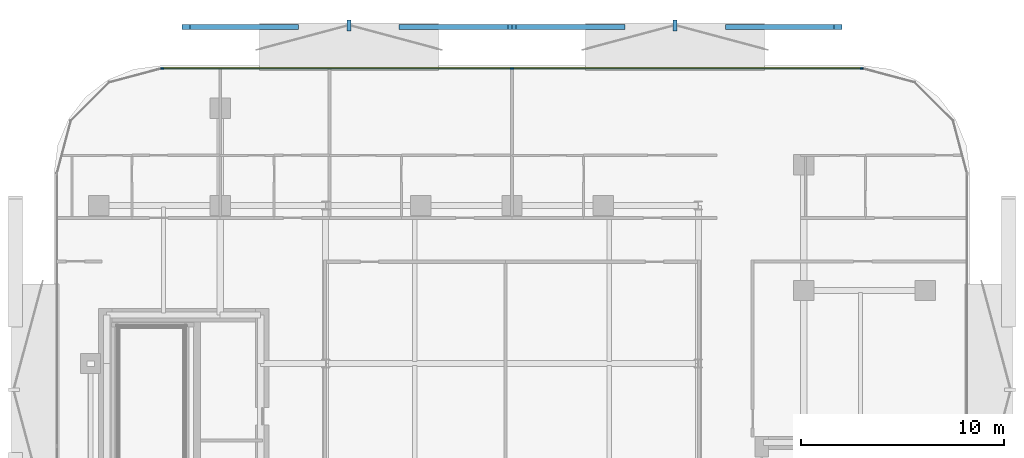
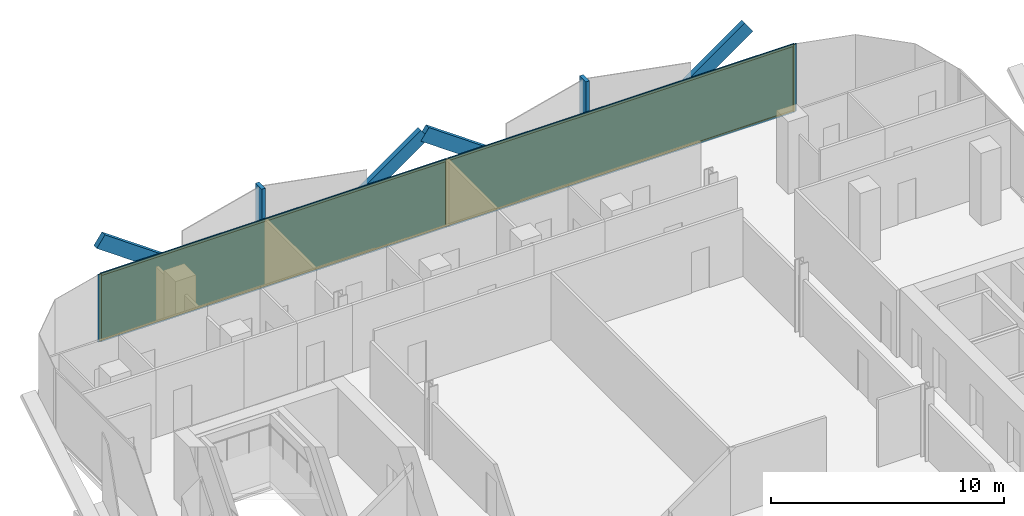
# One storey, part 12 of 17: 13 members, 2 plates, 1 curtain wall.
"""IFC4 building model written with IfcOpenShell, lengths in metres."""

import ifcopenshell
import ifcopenshell.guid

model = None  # the IFC model being written
_history = None  # IfcOwnerHistory: only IFC2X3 demands one
_inside = {}  # id of a spatial element -> (the spatial element, [elements in it])
_under = {}  # id of a project, library or spatial element -> (it, [spatial elements below it])
_declared = {}  # id of a project -> (the project, [libraries it declares])
_typed = {}  # id of a type object -> (the type object, [elements of that type])
_made_of = {}  # id of a material, layer set ... -> (it, [elements and type objects made of it])


def new_model(schema):
    """Start an empty IFC model of exactly this schema.

    Asked for "IFC4X3", IfcOpenShell would pick the latest addendum, in which some entities
    have other attributes; the version numbers below select the first issue.
    IFC2X3 requires an IfcOwnerHistory on every rooted entity: one is made here for all.
    """
    global model, _history
    if schema == "IFC4X3":
        model = ifcopenshell.file(schema_version=(4, 3, 0, 0))
    else:
        model = ifcopenshell.file(schema=schema)
    _inside.clear()
    _under.clear()
    _declared.clear()
    _typed.clear()
    _made_of.clear()
    _history = None
    if model.schema == "IFC2X3":
        org = make("IfcOrganization", Name="unknown")
        user = make(
            "IfcPersonAndOrganization",
            ThePerson=make("IfcPerson", FamilyName="unknown"),
            TheOrganization=org,
        )
        app = make(
            "IfcApplication",
            ApplicationDeveloper=org,
            Version="unknown",
            ApplicationFullName="unknown",
            ApplicationIdentifier="unknown",
        )
        _history = make(
            "IfcOwnerHistory",
            OwningUser=user,
            OwningApplication=app,
            ChangeAction="ADDED",
            CreationDate=0,
        )
    return model


def make(cls, **values):
    """One entity of the class cls with the attributes given. An attribute that is None is left unset."""
    return model.create_entity(
        cls, **{name: value for name, value in values.items() if value is not None}
    )


def rooted(cls, **values):
    """An entity with a GlobalId (a new one), such as an element, a storey or a relation."""
    return make(cls, GlobalId=ifcopenshell.guid.new(), OwnerHistory=_history, **values)


def si_unit(unit_type, name, prefix=None):
    """IfcSIUnit, for example si_unit("LENGTHUNIT", "METRE", prefix="MILLI")."""
    return make("IfcSIUnit", UnitType=unit_type, Prefix=prefix, Name=name)


def assignment(units):
    """IfcUnitAssignment: the units of a project."""
    return None if units is None else make("IfcUnitAssignment", Units=units)


def point(xyz):
    """IfcCartesianPoint."""
    return None if xyz is None else make("IfcCartesianPoint", Coordinates=xyz)


def direction(xyz):
    """IfcDirection."""
    return None if xyz is None else make("IfcDirection", DirectionRatios=xyz)


def frame(location, z_axis=None, x_axis=None):
    """IfcAxis2Placement3D, a coordinate frame: its origin and axes. An axis left out is left unset."""
    return make(
        "IfcAxis2Placement3D",
        Location=point(location),
        Axis=direction(z_axis),
        RefDirection=direction(x_axis),
    )


def frame_2d(location, x_axis=None):
    """IfcAxis2Placement2D, a coordinate frame in the plane: its origin and x axis."""
    return make(
        "IfcAxis2Placement2D", Location=point(location), RefDirection=direction(x_axis)
    )


def origin():
    """The frame at (0, 0, 0) with its axes left unset."""
    return frame((0.0, 0.0, 0.0))


def origin_2d():
    """The frame at (0, 0) in the plane with its x axis left unset."""
    return frame_2d((0.0, 0.0))


def place(relative_to, where):
    """IfcLocalPlacement: puts the frame where relative to a parent placement (None: the world)."""
    return make(
        "IfcLocalPlacement", PlacementRelTo=relative_to, RelativePlacement=where
    )


def context(
    kind, dimensions, precision=None, world=None, true_north=None, identifier=None
):
    """IfcGeometricRepresentationContext, for example the 3D "Model" context."""
    return make(
        "IfcGeometricRepresentationContext",
        ContextIdentifier=identifier,
        ContextType=kind,
        CoordinateSpaceDimension=dimensions,
        Precision=precision,
        WorldCoordinateSystem=world,
        TrueNorth=true_north,
    )


def subcontext(parent, identifier, kind, view, scale=None):
    """IfcGeometricRepresentationSubContext, for example "Body" below "Model"."""
    return make(
        "IfcGeometricRepresentationSubContext",
        ContextIdentifier=identifier,
        ContextType=kind,
        ParentContext=parent,
        TargetScale=scale,
        TargetView=view,
    )


def project(units=None, contexts=None):
    """IfcProject with its units and contexts."""
    return rooted(
        "IfcProject",
        Name="project",
        RepresentationContexts=contexts,
        UnitsInContext=assignment(units),
    )


def spatial(cls, under=None, at=None, **own):
    """A site, building, storey or space (cls), placed at a placement, below another one or the project."""
    s = rooted(cls, ObjectPlacement=at, **own)
    if under is not None:
        _under.setdefault(under.id(), (under, []))[1].append(s)
    return s


def profile(cls, at=None, kind="AREA", **sizes):
    """A parametric profile (cls). Its sizes go by their IFC names, for example OverallWidth=200.0."""
    return make(cls, ProfileType=kind, Position=at, **sizes)


def rectangle(**sizes):
    """IfcRectangleProfileDef."""
    return profile("IfcRectangleProfileDef", **sizes)


def extrude(swept, where, along, depth):
    """IfcExtrudedAreaSolid: the profile swept, set in the frame where, extruded along a direction by depth."""
    return make(
        "IfcExtrudedAreaSolid",
        SweptArea=swept,
        Position=where,
        ExtrudedDirection=direction(along),
        Depth=depth,
    )


def shape(context_of_items, identifier, shape_type, items):
    """IfcShapeRepresentation: the items that make up one representation, for example the "Body"."""
    return make(
        "IfcShapeRepresentation",
        ContextOfItems=context_of_items,
        RepresentationIdentifier=identifier,
        RepresentationType=shape_type,
        Items=items,
    )


def material(Name=None, Category=None):
    """IfcMaterial."""
    return make("IfcMaterial", Name=Name, Category=Category)


def layer(
    of_material, thickness, ventilated=None, Name=None, Category=None, Priority=None
):
    """IfcMaterialLayer: one layer of a wall or slab, of a material (None: an air gap)."""
    return make(
        "IfcMaterialLayer",
        Material=of_material,
        LayerThickness=thickness,
        IsVentilated=ventilated,
        Name=Name,
        Category=Category,
        Priority=Priority,
    )


def layer_set(layers, Name=None):
    """IfcMaterialLayerSet."""
    return make("IfcMaterialLayerSet", MaterialLayers=layers, LayerSetName=Name)


def material_profile(
    of_material, cross_section, Name=None, Category=None, Priority=None
):
    """IfcMaterialProfile: a cross section and its material."""
    return make(
        "IfcMaterialProfile",
        Name=Name,
        Material=of_material,
        Profile=cross_section,
        Priority=Priority,
        Category=Category,
    )


def profile_set(profiles, Name=None, composite=None):
    """IfcMaterialProfileSet."""
    return make(
        "IfcMaterialProfileSet",
        Name=Name,
        MaterialProfiles=profiles,
        CompositeProfile=composite,
    )


def made_of(thing, what):
    """Note that an element or type object is made of a material, layer set ...; save() writes the relation."""
    if what is not None:
        _made_of.setdefault(what.id(), (what, []))[1].append(thing)
    return thing


def type_object(cls, material=None, **own):
    """A type object (cls), such as IfcWallType, which elements share."""
    return made_of(rooted(cls, **own), material)


def element(
    cls,
    number,
    at=None,
    inside=None,
    cuts=None,
    type_object=None,
    material=None,
    context=None,
    identifier="Body",
    shape_type=None,
    held_by="IfcProductDefinitionShape",
    body=None,
    shapes=None,
    **own,
):
    """One element of the class cls, such as IfcWall. Its Tag is "e" and its number.

    at: its placement. inside: the storey or other place that contains it. cuts: it is an
    opening in that element (IfcRelVoidsElement). A single representation is given by context,
    identifier, shape_type and body (its items); several are given by shapes. held_by: the class
    of the entity that holds the representations. save() writes the other relations.
    """
    e = rooted(cls, Tag="e%d" % number, ObjectPlacement=at, **own)
    if body is not None:
        shapes = [shape(context, identifier, shape_type, body)]
    if shapes is not None:
        e.Representation = make(held_by, Representations=shapes)
    if inside is not None:
        _inside.setdefault(inside.id(), (inside, []))[1].append(e)
    if cuts is not None:
        rooted(
            "IfcRelVoidsElement", RelatingBuildingElement=cuts, RelatedOpeningElement=e
        )
    if type_object is not None:
        _typed.setdefault(type_object.id(), (type_object, []))[1].append(e)
    return made_of(e, material)


def aggregate(whole, parts):
    """IfcRelAggregates: a whole, such as a stair, and the parts it consists of."""
    return rooted("IfcRelAggregates", RelatingObject=whole, RelatedObjects=parts)


def save(model, path):
    """Write the relations noted so far, then the file.

    IfcRelAggregates (storeys below a building ...), IfcRelContainedInSpatialStructure (elements
    in a storey), IfcRelDefinesByType, IfcRelAssociatesMaterial and IfcRelDeclares: one each for
    every whole, place, type object, material and project.
    """
    for whole, parts in _under.values():
        aggregate(whole, parts)
    for where, things in _inside.values():
        rooted(
            "IfcRelContainedInSpatialStructure",
            RelatedElements=things,
            RelatingStructure=where,
        )
    for kind, things in _typed.values():
        rooted("IfcRelDefinesByType", RelatedObjects=things, RelatingType=kind)
    for what, things in _made_of.values():
        rooted("IfcRelAssociatesMaterial", RelatedObjects=things, RelatingMaterial=what)
    for by, libraries in _declared.values():
        rooted("IfcRelDeclares", RelatingContext=by, RelatedDefinitions=libraries)
    model.write(path)


model = new_model("IFC4")

# Units and contexts
model_context = context("Model", 3, precision=1e-05, world=origin(), true_north=direction((0.0, 1.0)))
body_context = subcontext(model_context, "Body", "Model", "MODEL_VIEW")
ifc_project = project(units=[si_unit("LENGTHUNIT", "METRE"), si_unit("AREAUNIT", "SQUARE_METRE"), si_unit("VOLUMEUNIT", "CUBIC_METRE"), si_unit("PLANEANGLEUNIT", "RADIAN"), si_unit("MASSUNIT", "GRAM", prefix="KILO")], contexts=[model_context])

# Member
ifc_material_1 = material(Name="Anodised Bronze Aluminium 6063-T6", Category="aluminium")
ifc_material_profile_1 = material_profile(ifc_material_1, rectangle(XDim=0.260009765625, YDim=0.699951171875, at=origin_2d()))
ifc_profile_set_1 = profile_set([ifc_material_profile_1], Name="Anodised Bronze Aluminium 6063-T6")
member_type_1 = type_object("IfcMemberType", Name="Bronze Diamond Solar-Screen Lattice Rib BDL-700", PredefinedType="MULLION", material=ifc_profile_set_1)
site_placement = place(None, origin())
building_placement = place(site_placement, origin())
storey_placement = place(building_placement, frame((0.0, 0.0, 180.199951171875)))
member_1_placement = place(storey_placement, frame((-5.363525390625, 27.39990234375, -0.1298828125), z_axis=(0.815960970702, 0.0, 0.578106992079), x_axis=(0.0, 1.0, 0.0)))
member_1 = element("IfcMember", 1, at=member_1_placement, type_object=member_type_1, Name="L41 Bronze Diamond Solar Screen Lattice Rib 269A", PredefinedType="MULLION", context=body_context, shape_type="SweptSolid", body=[
    extrude(rectangle(XDim=0.260009765625, YDim=0.699951171875, at=origin_2d()), origin(), (0.0, 0.0, 1.0), 6.5732421875),
])

member_2_placement = place(storey_placement, frame((-10.727294921875, 27.39990234375, -0.1298828125), z_axis=(-0.815960970702, 0.0, 0.578106992079), x_axis=(0.0, -1.0, 0.0)))
member_2 = element("IfcMember", 2, at=member_2_placement, type_object=member_type_1, Name="L41 Bronze Diamond Solar Screen Lattice Rib 269B", PredefinedType="MULLION", context=body_context, shape_type="SweptSolid", body=[
    extrude(rectangle(XDim=0.260009765625, YDim=0.699951171875, at=origin_2d()), origin(), (0.0, 0.0, 1.0), 6.5732421875),
])

member_3_placement = place(storey_placement, frame((10.727294921875, 27.39990234375, -0.1298828125), z_axis=(0.815960970702, 0.0, 0.578106992079), x_axis=(0.0, 1.0, 0.0)))
member_3 = element("IfcMember", 3, at=member_3_placement, type_object=member_type_1, Name="L41 Bronze Diamond Solar Screen Lattice Rib 270A", PredefinedType="MULLION", context=body_context, shape_type="SweptSolid", body=[
    extrude(rectangle(XDim=0.260009765625, YDim=0.699951171875, at=origin_2d()), origin(), (0.0, 0.0, 1.0), 6.5732421875),
])

member_4_placement = place(storey_placement, frame((5.363525390625, 27.39990234375, -0.1298828125), z_axis=(-0.815960970702, 0.0, 0.578106992079), x_axis=(0.0, -1.0, 0.0)))
member_4 = element("IfcMember", 4, at=member_4_placement, type_object=member_type_1, Name="L41 Bronze Diamond Solar Screen Lattice Rib 270B", PredefinedType="MULLION", context=body_context, shape_type="SweptSolid", body=[
    extrude(rectangle(XDim=0.260009765625, YDim=0.699951171875, at=origin_2d()), origin(), (0.0, 0.0, 1.0), 6.5732421875),
])

ifc_material_2 = material(Name="Anodised Bronze Aluminium 6063-T6", Category="aluminium")
ifc_material_profile_2 = material_profile(ifc_material_2, rectangle(XDim=0.179931640625, YDim=0.5400390625, at=origin_2d()))
ifc_profile_set_2 = profile_set([ifc_material_profile_2], Name="Anodised Bronze Aluminium 6063-T6")
member_type_2 = type_object("IfcMemberType", Name="Bronze Solar-Screen Vertical Fold Fin BSF-540", PredefinedType="MULLION", material=ifc_profile_set_2)
member_5_placement = place(storey_placement, frame((-8.04541015625, 27.47998046875, -0.1298828125), z_axis=(0.0, 0.0, 1.0), x_axis=(1.0, 0.0, 0.0)))
member_5 = element("IfcMember", 5, at=member_5_placement, type_object=member_type_2, Name="L41 Bronze Solar Screen Vertical Fin 269", PredefinedType="MULLION", context=body_context, shape_type="SweptSolid", body=[
    extrude(rectangle(XDim=0.179931640625, YDim=0.5400390625, at=origin_2d()), origin(), (0.0, 0.0, 1.0), 3.800048828125),
])

member_6_placement = place(storey_placement, frame((8.04541015625, 27.47998046875, -0.1298828125), z_axis=(0.0, 0.0, 1.0), x_axis=(1.0, 0.0, 0.0)))
member_6 = element("IfcMember", 6, at=member_6_placement, type_object=member_type_2, Name="L41 Bronze Solar Screen Vertical Fin 270", PredefinedType="MULLION", context=body_context, shape_type="SweptSolid", body=[
    extrude(rectangle(XDim=0.179931640625, YDim=0.5400390625, at=origin_2d()), origin(), (0.0, 0.0, 1.0), 3.800048828125),
])

ifc_material_3 = material(Name="Anodised Bronze Aluminium 6063-T6", Category="aluminium")
ifc_material_profile_3 = material_profile(ifc_material_3, rectangle(XDim=0.06005859375, YDim=0.1650390625, at=origin_2d()))
ifc_profile_set_3 = profile_set([ifc_material_profile_3], Name="Anodised Bronze Aluminium 6063-T6")
member_type_3 = type_object("IfcMemberType", Name="CW-Z3 Mullion 60x165", PredefinedType="MULLION", material=ifc_profile_set_3)
member_7_placement = place(storey_placement, frame((-17.2607421875, 25.360107421875, 0.0), z_axis=(0.0, 0.0, 1.0), x_axis=(0.0, 1.0, 0.0)))
member_7 = element("IfcMember", 7, at=member_7_placement, type_object=member_type_3, Name="CW-Z3 mullion 1", PredefinedType="MULLION", context=body_context, shape_type="SweptSolid", body=[
    extrude(rectangle(XDim=0.06005859375, YDim=0.1650390625, at=origin_2d()), origin(), (0.0, 0.0, 1.0), 3.5400390625),
])

member_8_placement = place(storey_placement, frame((0.0, 25.360107421875, 0.0), z_axis=(0.0, 0.0, 1.0), x_axis=(0.0, 1.0, 0.0)))
member_8 = element("IfcMember", 8, at=member_8_placement, type_object=member_type_3, Name="CW-Z3 mullion 2", PredefinedType="MULLION", context=body_context, shape_type="SweptSolid", body=[
    extrude(rectangle(XDim=0.06005859375, YDim=0.1650390625, at=origin_2d()), origin(), (0.0, 0.0, 1.0), 3.5400390625),
])

member_9_placement = place(storey_placement, frame((17.2607421875, 25.360107421875, 0.0), z_axis=(0.0, 0.0, 1.0), x_axis=(0.0, 1.0, 0.0)))
member_9 = element("IfcMember", 9, at=member_9_placement, type_object=member_type_3, Name="CW-Z3 mullion 3", PredefinedType="MULLION", context=body_context, shape_type="SweptSolid", body=[
    extrude(rectangle(XDim=0.06005859375, YDim=0.1650390625, at=origin_2d()), origin(), (0.0, 0.0, 1.0), 3.5400390625),
])

ifc_material_4 = material(Name="Anodised Bronze Aluminium 6063-T6", Category="aluminium")
ifc_material_profile_4 = material_profile(ifc_material_4, rectangle(XDim=0.06005859375, YDim=0.1298828125, at=origin_2d()))
ifc_profile_set_4 = profile_set([ifc_material_profile_4], Name="Anodised Bronze Aluminium 6063-T6")
member_type_4 = type_object("IfcMemberType", Name="CW-Z3 Transom 60x130", PredefinedType="USERDEFINED", material=ifc_profile_set_4)
member_10_placement = place(storey_placement, frame((-17.230712890625, 25.360107421875, 0.030029296875), z_axis=(1.0, 0.0, 0.0), x_axis=(0.0, 1.0, 0.0)))
member_10 = element("IfcMember", 10, at=member_10_placement, type_object=member_type_4, Name="CW-Z3 transom 1.1", ObjectType="TRANSOM", PredefinedType="USERDEFINED", context=body_context, shape_type="SweptSolid", body=[
    extrude(rectangle(XDim=0.06005859375, YDim=0.1298828125, at=origin_2d()), origin(), (0.0, 0.0, 1.0), 17.20068359375),
])

member_11_placement = place(storey_placement, frame((-17.230712890625, 25.360107421875, 3.510009765625), z_axis=(1.0, 0.0, 0.0), x_axis=(0.0, 1.0, 0.0)))
member_11 = element("IfcMember", 11, at=member_11_placement, type_object=member_type_4, Name="CW-Z3 transom 1.2", ObjectType="TRANSOM", PredefinedType="USERDEFINED", context=body_context, shape_type="SweptSolid", body=[
    extrude(rectangle(XDim=0.06005859375, YDim=0.1298828125, at=origin_2d()), origin(), (0.0, 0.0, 1.0), 17.20068359375),
])

member_12_placement = place(storey_placement, frame((0.030029296875, 25.360107421875, 0.030029296875), z_axis=(1.0, 0.0, 0.0), x_axis=(0.0, 1.0, 0.0)))
member_12 = element("IfcMember", 12, at=member_12_placement, type_object=member_type_4, Name="CW-Z3 transom 2.1", ObjectType="TRANSOM", PredefinedType="USERDEFINED", context=body_context, shape_type="SweptSolid", body=[
    extrude(rectangle(XDim=0.06005859375, YDim=0.1298828125, at=origin_2d()), origin(), (0.0, 0.0, 1.0), 17.20068359375),
])

member_13_placement = place(storey_placement, frame((0.030029296875, 25.360107421875, 3.510009765625), z_axis=(1.0, 0.0, 0.0), x_axis=(0.0, 1.0, 0.0)))
member_13 = element("IfcMember", 13, at=member_13_placement, type_object=member_type_4, Name="CW-Z3 transom 2.2", ObjectType="TRANSOM", PredefinedType="USERDEFINED", context=body_context, shape_type="SweptSolid", body=[
    extrude(rectangle(XDim=0.06005859375, YDim=0.1298828125, at=origin_2d()), origin(), (0.0, 0.0, 1.0), 17.20068359375),
])

# Plate
ifc_material_5 = material(Name="Low-E Solar Control Laminated Glass", Category="glass")
ifc_layer_1 = layer(ifc_material_5, 0.030029296875, Name="Low-E Solar Control Laminated Glass")
ifc_layer_set_1 = layer_set([ifc_layer_1], Name="Low-E Solar Control Laminated Glass")
plate_type = type_object("IfcPlateType", Name="CW-Z3 Low-E Double Glazed Panel 30mm", PredefinedType="CURTAIN_PANEL", material=ifc_layer_set_1)
plate_1_placement = place(storey_placement, frame((-8.63037109375, 25.360107421875, 0.06005859375), z_axis=(0.0, 0.0, 1.0), x_axis=(1.0, 0.0, 0.0)))
plate_1 = element("IfcPlate", 14, at=plate_1_placement, type_object=plate_type, Name="CW-Z3 panel 1.1", PredefinedType="CURTAIN_PANEL", context=body_context, shape_type="SweptSolid", body=[
    extrude(rectangle(XDim=17.20068359375, YDim=0.030029296875, at=origin_2d()), origin(), (0.0, 0.0, 1.0), 3.419921875),
])

plate_2_placement = place(storey_placement, frame((8.63037109375, 25.360107421875, 0.06005859375), z_axis=(0.0, 0.0, 1.0), x_axis=(1.0, 0.0, 0.0)))
plate_2 = element("IfcPlate", 15, at=plate_2_placement, type_object=plate_type, Name="CW-Z3 panel 2.1", PredefinedType="CURTAIN_PANEL", context=body_context, shape_type="SweptSolid", body=[
    extrude(rectangle(XDim=17.20068359375, YDim=0.030029296875, at=origin_2d()), origin(), (0.0, 0.0, 1.0), 3.419921875),
])

# Site, building, storey
site = spatial("IfcSite", under=ifc_project, at=site_placement, CompositionType="ELEMENT")
building = spatial("IfcBuilding", under=site, at=building_placement, Name="Khairoan Windgate Tower", CompositionType="ELEMENT")
storey = spatial("IfcBuildingStorey", under=building, at=storey_placement, Name="L41", CompositionType="ELEMENT", Elevation=180.199951171875)

# Curtain wall
ifc_material_6 = material(Name="Anodised Bronze Aluminium 6063-T6", Category="aluminium")
ifc_layer_2 = layer(ifc_material_6, 0.1650390625, Name="Anodised Bronze Aluminium 6063-T6")
ifc_layer_set_2 = layer_set([ifc_layer_2], Name="Anodised Bronze Aluminium 6063-T6")
curtain_wall_type = type_object("IfcCurtainWallType", Name="Luxury Hotel Acoustic Curtain Wall CW-Z3", PredefinedType="NOTDEFINED", material=ifc_layer_set_2)
curtain_wall_placement = place(storey_placement, frame((-17.290771484375, 25.360107421875, 0.0), z_axis=(0.0, 0.0, 1.0), x_axis=(1.0, 0.0, 0.0)))
curtain_wall = element("IfcCurtainWall", 16, at=curtain_wall_placement, inside=storey, type_object=curtain_wall_type, Name="L41 Unitised Curtain Wall 9", PredefinedType="NOTDEFINED", context=body_context, shape_type="SweptSolid", body=[
    extrude(rectangle(XDim=34.58154296875, YDim=0.010009765625, at=frame_2d((17.290771484375, 0.0))), origin(), (0.0, 0.0, 1.0), 3.5400390625),
])

aggregate(curtain_wall, [member_7, member_8, member_9, member_10, member_11, plate_1, member_12, member_13, plate_2, member_1, member_2, member_5, member_3, member_4, member_6])

save(model, "model.ifc")
